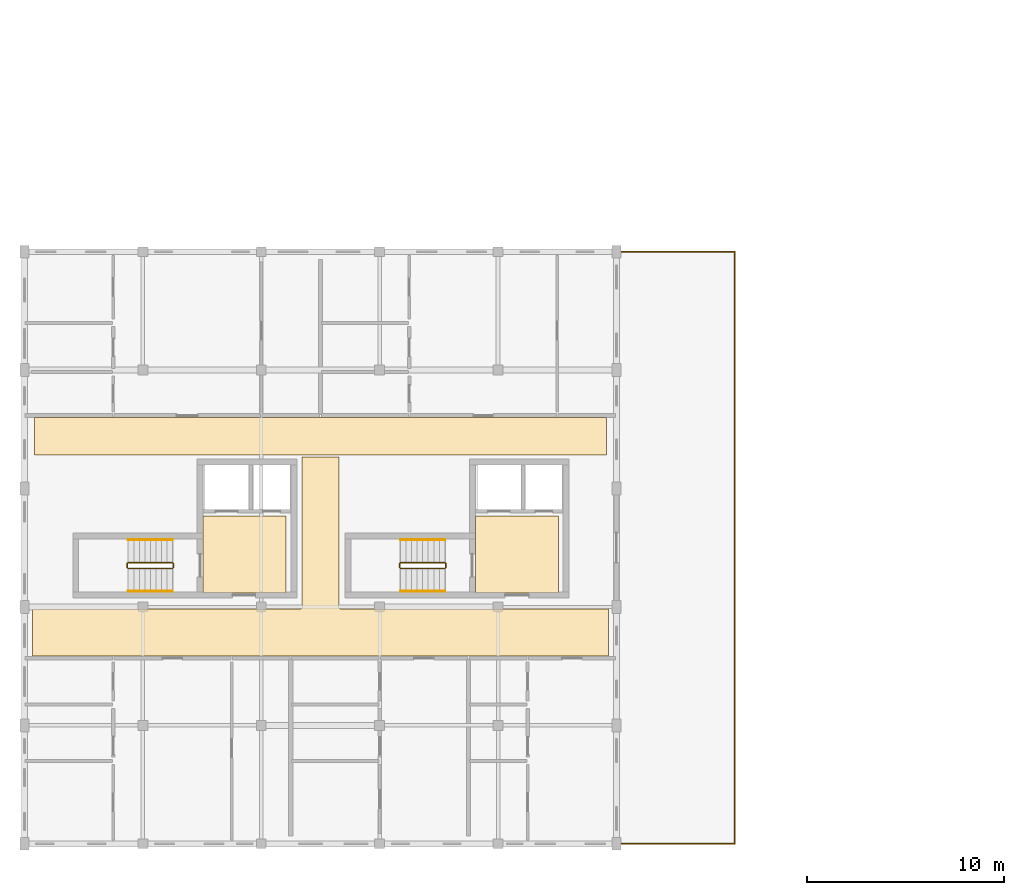
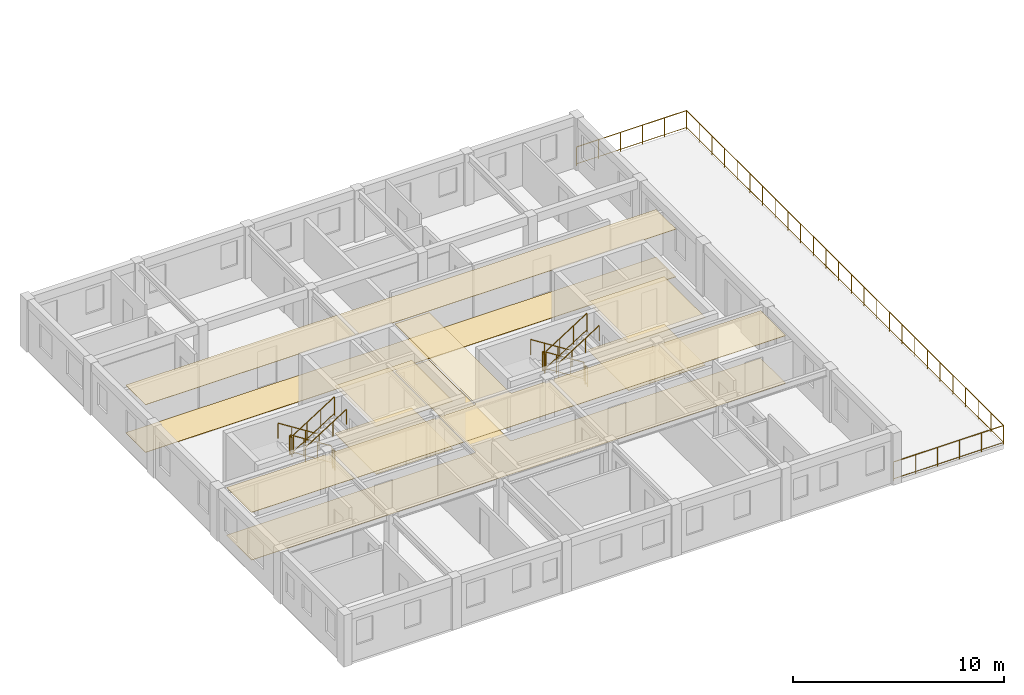
# One storey, part 12 of 13: 15 railings, 8 coverings.
"""IFC4 building model written with IfcOpenShell, lengths in metres."""

import ifcopenshell
import ifcopenshell.guid

model = None  # the IFC model being written
_history = None  # IfcOwnerHistory: only IFC2X3 demands one
_inside = {}  # id of a spatial element -> (the spatial element, [elements in it])
_under = {}  # id of a project, library or spatial element -> (it, [spatial elements below it])
_declared = {}  # id of a project -> (the project, [libraries it declares])
_typed = {}  # id of a type object -> (the type object, [elements of that type])
_made_of = {}  # id of a material, layer set ... -> (it, [elements and type objects made of it])


def new_model(schema):
    """Start an empty IFC model of exactly this schema.

    Asked for "IFC4X3", IfcOpenShell would pick the latest addendum, in which some entities
    have other attributes; the version numbers below select the first issue.
    IFC2X3 requires an IfcOwnerHistory on every rooted entity: one is made here for all.
    """
    global model, _history
    if schema == "IFC4X3":
        model = ifcopenshell.file(schema_version=(4, 3, 0, 0))
    else:
        model = ifcopenshell.file(schema=schema)
    _inside.clear()
    _under.clear()
    _declared.clear()
    _typed.clear()
    _made_of.clear()
    _history = None
    if model.schema == "IFC2X3":
        org = make("IfcOrganization", Name="unknown")
        user = make(
            "IfcPersonAndOrganization",
            ThePerson=make("IfcPerson", FamilyName="unknown"),
            TheOrganization=org,
        )
        app = make(
            "IfcApplication",
            ApplicationDeveloper=org,
            Version="unknown",
            ApplicationFullName="unknown",
            ApplicationIdentifier="unknown",
        )
        _history = make(
            "IfcOwnerHistory",
            OwningUser=user,
            OwningApplication=app,
            ChangeAction="ADDED",
            CreationDate=0,
        )
    return model


def make(cls, **values):
    """One entity of the class cls with the attributes given. An attribute that is None is left unset."""
    return model.create_entity(
        cls, **{name: value for name, value in values.items() if value is not None}
    )


def rooted(cls, **values):
    """An entity with a GlobalId (a new one), such as an element, a storey or a relation."""
    return make(cls, GlobalId=ifcopenshell.guid.new(), OwnerHistory=_history, **values)


def si_unit(unit_type, name, prefix=None):
    """IfcSIUnit, for example si_unit("LENGTHUNIT", "METRE", prefix="MILLI")."""
    return make("IfcSIUnit", UnitType=unit_type, Prefix=prefix, Name=name)


def assignment(units):
    """IfcUnitAssignment: the units of a project."""
    return None if units is None else make("IfcUnitAssignment", Units=units)


def point(xyz):
    """IfcCartesianPoint."""
    return None if xyz is None else make("IfcCartesianPoint", Coordinates=xyz)


def direction(xyz):
    """IfcDirection."""
    return None if xyz is None else make("IfcDirection", DirectionRatios=xyz)


def frame(location, z_axis=None, x_axis=None):
    """IfcAxis2Placement3D, a coordinate frame: its origin and axes. An axis left out is left unset."""
    return make(
        "IfcAxis2Placement3D",
        Location=point(location),
        Axis=direction(z_axis),
        RefDirection=direction(x_axis),
    )


def frame_2d(location, x_axis=None):
    """IfcAxis2Placement2D, a coordinate frame in the plane: its origin and x axis."""
    return make(
        "IfcAxis2Placement2D", Location=point(location), RefDirection=direction(x_axis)
    )


def origin():
    """The frame at (0, 0, 0) with its axes left unset."""
    return frame((0.0, 0.0, 0.0))


def origin_2d():
    """The frame at (0, 0) in the plane with its x axis left unset."""
    return frame_2d((0.0, 0.0))


def place(relative_to, where):
    """IfcLocalPlacement: puts the frame where relative to a parent placement (None: the world)."""
    return make(
        "IfcLocalPlacement", PlacementRelTo=relative_to, RelativePlacement=where
    )


def context(
    kind, dimensions, precision=None, world=None, true_north=None, identifier=None
):
    """IfcGeometricRepresentationContext, for example the 3D "Model" context."""
    return make(
        "IfcGeometricRepresentationContext",
        ContextIdentifier=identifier,
        ContextType=kind,
        CoordinateSpaceDimension=dimensions,
        Precision=precision,
        WorldCoordinateSystem=world,
        TrueNorth=true_north,
    )


def subcontext(parent, identifier, kind, view, scale=None):
    """IfcGeometricRepresentationSubContext, for example "Body" below "Model"."""
    return make(
        "IfcGeometricRepresentationSubContext",
        ContextIdentifier=identifier,
        ContextType=kind,
        ParentContext=parent,
        TargetScale=scale,
        TargetView=view,
    )


def project(units=None, contexts=None):
    """IfcProject with its units and contexts."""
    return rooted(
        "IfcProject",
        Name="project",
        RepresentationContexts=contexts,
        UnitsInContext=assignment(units),
    )


def spatial(cls, under=None, at=None, **own):
    """A site, building, storey or space (cls), placed at a placement, below another one or the project."""
    s = rooted(cls, ObjectPlacement=at, **own)
    if under is not None:
        _under.setdefault(under.id(), (under, []))[1].append(s)
    return s


def polyline(points):
    """IfcPolyline through the points."""
    return make("IfcPolyline", Points=[point(p) for p in points])


def profile(cls, at=None, kind="AREA", **sizes):
    """A parametric profile (cls). Its sizes go by their IFC names, for example OverallWidth=200.0."""
    return make(cls, ProfileType=kind, Position=at, **sizes)


def circle(**sizes):
    """IfcCircleProfileDef."""
    return profile("IfcCircleProfileDef", **sizes)


def outline(outer, holes=None, kind="AREA"):
    """IfcArbitraryClosedProfileDef: a profile drawn as a closed curve; with holes, ...WithVoids."""
    if holes is None:
        return make("IfcArbitraryClosedProfileDef", ProfileType=kind, OuterCurve=outer)
    return make(
        "IfcArbitraryProfileDefWithVoids",
        ProfileType=kind,
        OuterCurve=outer,
        InnerCurves=holes,
    )


def extrude(swept, where, along, depth):
    """IfcExtrudedAreaSolid: the profile swept, set in the frame where, extruded along a direction by depth."""
    return make(
        "IfcExtrudedAreaSolid",
        SweptArea=swept,
        Position=where,
        ExtrudedDirection=direction(along),
        Depth=depth,
    )


def shape(context_of_items, identifier, shape_type, items):
    """IfcShapeRepresentation: the items that make up one representation, for example the "Body"."""
    return make(
        "IfcShapeRepresentation",
        ContextOfItems=context_of_items,
        RepresentationIdentifier=identifier,
        RepresentationType=shape_type,
        Items=items,
    )


def material(Name=None, Category=None):
    """IfcMaterial."""
    return make("IfcMaterial", Name=Name, Category=Category)


def layer(
    of_material, thickness, ventilated=None, Name=None, Category=None, Priority=None
):
    """IfcMaterialLayer: one layer of a wall or slab, of a material (None: an air gap)."""
    return make(
        "IfcMaterialLayer",
        Material=of_material,
        LayerThickness=thickness,
        IsVentilated=ventilated,
        Name=Name,
        Category=Category,
        Priority=Priority,
    )


def layer_set(layers, Name=None):
    """IfcMaterialLayerSet."""
    return make("IfcMaterialLayerSet", MaterialLayers=layers, LayerSetName=Name)


def made_of(thing, what):
    """Note that an element or type object is made of a material, layer set ...; save() writes the relation."""
    if what is not None:
        _made_of.setdefault(what.id(), (what, []))[1].append(thing)
    return thing


def type_object(cls, material=None, **own):
    """A type object (cls), such as IfcWallType, which elements share."""
    return made_of(rooted(cls, **own), material)


def element(
    cls,
    number,
    at=None,
    inside=None,
    cuts=None,
    type_object=None,
    material=None,
    context=None,
    identifier="Body",
    shape_type=None,
    held_by="IfcProductDefinitionShape",
    body=None,
    shapes=None,
    **own,
):
    """One element of the class cls, such as IfcWall. Its Tag is "e" and its number.

    at: its placement. inside: the storey or other place that contains it. cuts: it is an
    opening in that element (IfcRelVoidsElement). A single representation is given by context,
    identifier, shape_type and body (its items); several are given by shapes. held_by: the class
    of the entity that holds the representations. save() writes the other relations.
    """
    e = rooted(cls, Tag="e%d" % number, ObjectPlacement=at, **own)
    if body is not None:
        shapes = [shape(context, identifier, shape_type, body)]
    if shapes is not None:
        e.Representation = make(held_by, Representations=shapes)
    if inside is not None:
        _inside.setdefault(inside.id(), (inside, []))[1].append(e)
    if cuts is not None:
        rooted(
            "IfcRelVoidsElement", RelatingBuildingElement=cuts, RelatedOpeningElement=e
        )
    if type_object is not None:
        _typed.setdefault(type_object.id(), (type_object, []))[1].append(e)
    return made_of(e, material)


def aggregate(whole, parts):
    """IfcRelAggregates: a whole, such as a stair, and the parts it consists of."""
    return rooted("IfcRelAggregates", RelatingObject=whole, RelatedObjects=parts)


def save(model, path):
    """Write the relations noted so far, then the file.

    IfcRelAggregates (storeys below a building ...), IfcRelContainedInSpatialStructure (elements
    in a storey), IfcRelDefinesByType, IfcRelAssociatesMaterial and IfcRelDeclares: one each for
    every whole, place, type object, material and project.
    """
    for whole, parts in _under.values():
        aggregate(whole, parts)
    for where, things in _inside.values():
        rooted(
            "IfcRelContainedInSpatialStructure",
            RelatedElements=things,
            RelatingStructure=where,
        )
    for kind, things in _typed.values():
        rooted("IfcRelDefinesByType", RelatedObjects=things, RelatingType=kind)
    for what, things in _made_of.values():
        rooted("IfcRelAssociatesMaterial", RelatedObjects=things, RelatingMaterial=what)
    for by, libraries in _declared.values():
        rooted("IfcRelDeclares", RelatingContext=by, RelatedDefinitions=libraries)
    model.write(path)


model = new_model("IFC4")

# Units and contexts
model_context = context("Model", 3, precision=1e-05, world=origin(), true_north=direction((0.0, 1.0)))
body_context = subcontext(model_context, "Body", "Model", "MODEL_VIEW")
ifc_project = project(units=[si_unit("LENGTHUNIT", "METRE"), si_unit("AREAUNIT", "SQUARE_METRE"), si_unit("VOLUMEUNIT", "CUBIC_METRE"), si_unit("PLANEANGLEUNIT", "RADIAN"), si_unit("MASSUNIT", "GRAM", prefix="KILO"), si_unit("POWERUNIT", "WATT"), si_unit("THERMODYNAMICTEMPERATUREUNIT", "KELVIN")], contexts=[model_context])

# Site, building, storey
site_placement = place(None, origin())
site = spatial("IfcSite", under=ifc_project, at=site_placement, CompositionType="ELEMENT")
building_placement = place(site_placement, origin())
building = spatial("IfcBuilding", under=site, at=building_placement, Name="Ruvembo Vaulted Housing Court", CompositionType="ELEMENT")
storey_placement = place(building_placement, frame((0.0, 0.0, 33.300048828125)))
storey = spatial("IfcBuildingStorey", under=building, at=storey_placement, Name="L10", CompositionType="ELEMENT", Elevation=33.300048828125)

# Coverings
ifc_material_1 = material(Name="Perforated Mineral-Fibre Acoustic Tile", Category="gypsum")
ifc_layer_1 = layer(ifc_material_1, 0.02001953125, Name="Perforated Mineral-Fibre Acoustic Tile")
ifc_layer_set_1 = layer_set([ifc_layer_1], Name="Perforated Mineral-Fibre Acoustic Tile")
covering_type_1 = type_object("IfcCoveringType", Name="COV-CEIL-ACOUST", PredefinedType="CEILING", material=ifc_layer_set_1)
covering_1_placement = place(storey_placement, frame((0.0, 0.0, 2.75)))
element("IfcCovering", 1, at=covering_1_placement, inside=storey, type_object=covering_type_1, Name="Firefighting Lift Lobby A1 Ceiling", PredefinedType="CEILING", context=body_context, shape_type="SweptSolid", body=[
    extrude(outline(polyline([(13.25, 22.60009765625), (9.050048828125, 22.60009765625), (9.050048828125, 18.699951171875), (13.25, 18.699951171875), (13.25, 22.60009765625)])), origin(), (0.0, 0.0, 1.0), 0.02001953125),
])
covering_2_placement = place(storey_placement, frame((0.0, 0.0, 2.75)))
element("IfcCovering", 2, at=covering_2_placement, inside=storey, type_object=covering_type_1, Name="Firefighting Lift Lobby A2 Ceiling", PredefinedType="CEILING", context=body_context, shape_type="SweptSolid", body=[
    extrude(outline(polyline([(27.050048828125, 22.60009765625), (22.85009765625, 22.60009765625), (22.85009765625, 18.699951171875), (27.050048828125, 18.699951171875), (27.050048828125, 22.60009765625)])), origin(), (0.0, 0.0, 1.0), 0.02001953125),
])
covering_3_placement = place(storey_placement, frame((0.0, 0.0, 2.75)))
element("IfcCovering", 3, at=covering_3_placement, inside=storey, type_object=covering_type_1, Name="Block A L10 Corridor Ceiling", PredefinedType="CEILING", context=body_context, shape_type="SweptSolid", body=[
    extrude(outline(polyline([(29.590087890625, 15.510009765625), (29.590087890625, 17.889892578125), (16.050048828125, 17.889892578125), (16.039306640625, 17.890380859375), (16.028564453125, 17.89208984375), (16.01806640625, 17.894775390625), (16.0078125, 17.8984375), (15.998046875, 17.903076171875), (15.989013671875, 17.908447265625), (15.980224609375, 17.9150390625), (15.97216796875, 17.922119140625), (15.965087890625, 17.93017578125), (15.95849609375, 17.93896484375), (15.952880859375, 17.947998046875), (15.948486328125, 17.9580078125), (15.944580078125, 17.968017578125), (15.942138671875, 17.978515625), (15.9404296875, 17.9892578125), (15.93994140625, 18.0), (15.93994140625, 25.590087890625), (14.06005859375, 25.590087890625), (14.06005859375, 18.0), (14.0595703125, 17.9892578125), (14.057861328125, 17.978515625), (14.055419921875, 17.968017578125), (14.051513671875, 17.9580078125), (14.047119140625, 17.947998046875), (14.04150390625, 17.93896484375), (14.034912109375, 17.93017578125), (14.02783203125, 17.922119140625), (14.019775390625, 17.9150390625), (14.010986328125, 17.908447265625), (14.001953125, 17.903076171875), (13.9921875, 17.8984375), (13.98193359375, 17.894775390625), (13.971435546875, 17.89208984375), (13.960693359375, 17.890380859375), (13.949951171875, 17.889892578125), (0.409912109375, 17.889892578125), (0.409912109375, 15.510009765625), (29.590087890625, 15.510009765625)])), origin(), (0.0, 0.0, 1.0), 0.02001953125),
])
covering_4_placement = place(storey_placement, frame((0.0, 0.0, 2.75)))
element("IfcCovering", 4, at=covering_4_placement, inside=storey, type_object=covering_type_1, Name="Block A L10 North Sub-Corridor Ceiling", PredefinedType="CEILING", context=body_context, shape_type="SweptSolid", body=[
    extrude(outline(polyline([(0.510009765625, 25.7099609375), (29.489990234375, 25.7099609375), (29.489990234375, 27.590087890625), (0.510009765625, 27.590087890625), (0.510009765625, 25.7099609375)])), origin(), (0.0, 0.0, 1.0), 0.02001953125),
])
ifc_material_2 = material(Name="Polished Cement-Aggregate Terrazzo", Category="stone")
ifc_layer_2 = layer(ifc_material_2, 0.02197265625, Name="Polished Cement-Aggregate Terrazzo")
ifc_layer_set_2 = layer_set([ifc_layer_2], Name="Polished Cement-Aggregate Terrazzo")
covering_type_2 = type_object("IfcCoveringType", Name="COV-FLR-CERAMIC", PredefinedType="FLOORING", material=ifc_layer_set_2)
covering_5_placement = place(storey_placement, origin())
element("IfcCovering", 5, at=covering_5_placement, inside=storey, type_object=covering_type_2, Name="Firefighting Lift Lobby A1 Flooring", PredefinedType="FLOORING", context=body_context, shape_type="SweptSolid", body=[
    extrude(outline(polyline([(13.25, 22.60009765625), (9.050048828125, 22.60009765625), (9.050048828125, 18.699951171875), (13.25, 18.699951171875), (13.25, 22.60009765625)])), origin(), (0.0, 0.0, 1.0), 0.02197265625),
])
covering_6_placement = place(storey_placement, origin())
element("IfcCovering", 6, at=covering_6_placement, inside=storey, type_object=covering_type_2, Name="Firefighting Lift Lobby A2 Flooring", PredefinedType="FLOORING", context=body_context, shape_type="SweptSolid", body=[
    extrude(outline(polyline([(27.050048828125, 22.60009765625), (22.85009765625, 22.60009765625), (22.85009765625, 18.699951171875), (27.050048828125, 18.699951171875), (27.050048828125, 22.60009765625)])), origin(), (0.0, 0.0, 1.0), 0.02197265625),
])
covering_7_placement = place(storey_placement, origin())
element("IfcCovering", 7, at=covering_7_placement, inside=storey, type_object=covering_type_2, Name="Block A L10 Corridor Flooring", PredefinedType="FLOORING", context=body_context, shape_type="SweptSolid", body=[
    extrude(outline(polyline([(29.590087890625, 15.510009765625), (29.590087890625, 17.889892578125), (16.050048828125, 17.889892578125), (16.039306640625, 17.890380859375), (16.028564453125, 17.89208984375), (16.01806640625, 17.894775390625), (16.0078125, 17.8984375), (15.998046875, 17.903076171875), (15.989013671875, 17.908447265625), (15.980224609375, 17.9150390625), (15.97216796875, 17.922119140625), (15.965087890625, 17.93017578125), (15.95849609375, 17.93896484375), (15.952880859375, 17.947998046875), (15.948486328125, 17.9580078125), (15.944580078125, 17.968017578125), (15.942138671875, 17.978515625), (15.9404296875, 17.9892578125), (15.93994140625, 18.0), (15.93994140625, 25.590087890625), (14.06005859375, 25.590087890625), (14.06005859375, 18.0), (14.0595703125, 17.9892578125), (14.057861328125, 17.978515625), (14.055419921875, 17.968017578125), (14.051513671875, 17.9580078125), (14.047119140625, 17.947998046875), (14.04150390625, 17.93896484375), (14.034912109375, 17.93017578125), (14.02783203125, 17.922119140625), (14.019775390625, 17.9150390625), (14.010986328125, 17.908447265625), (14.001953125, 17.903076171875), (13.9921875, 17.8984375), (13.98193359375, 17.894775390625), (13.971435546875, 17.89208984375), (13.960693359375, 17.890380859375), (13.949951171875, 17.889892578125), (0.409912109375, 17.889892578125), (0.409912109375, 15.510009765625), (29.590087890625, 15.510009765625)])), origin(), (0.0, 0.0, 1.0), 0.02197265625),
])
covering_8_placement = place(storey_placement, origin())
element("IfcCovering", 8, at=covering_8_placement, inside=storey, type_object=covering_type_2, Name="Block A L10 North Sub-Corridor Flooring", PredefinedType="FLOORING", context=body_context, shape_type="SweptSolid", body=[
    extrude(outline(polyline([(0.510009765625, 25.7099609375), (29.489990234375, 25.7099609375), (29.489990234375, 27.590087890625), (0.510009765625, 27.590087890625), (0.510009765625, 25.7099609375)])), origin(), (0.0, 0.0, 1.0), 0.02197265625),
])

# Railings
ifc_material_3 = material(Name="Galvanised Painted Steel and Laminated Glass", Category="steel")
ifc_layer_3 = layer(ifc_material_3, 0.070068359375, Name="Galvanised Painted Steel and Laminated Glass")
ifc_layer_set_3 = layer_set([ifc_layer_3], Name="Galvanised Painted Steel and Laminated Glass")
railing_type_1 = type_object("IfcRailingType", Name="RL-BALUST-1120", PredefinedType="BALUSTRADE", material=ifc_layer_set_3)
railing_1_placement = place(storey_placement, frame((30.0, 6.0, 0.0)))
element("IfcRailing", 9, at=railing_1_placement, inside=storey, type_object=railing_type_1, Name="L10 Perimeter Guard RL-EXT-L10-0004", PredefinedType="BALUSTRADE", context=body_context, shape_type="SweptSolid", body=[
    extrude(circle(Radius=0.02392578125, at=origin_2d()), frame((0.0, 0.0, 1.09619140625), z_axis=(1.0, 0.0, 0.0), x_axis=(0.0, 1.0, 0.0)), (0.0, 0.0, 1.0), 6.0),
    extrude(circle(Radius=0.01806640625, at=origin_2d()), frame((0.0, 0.0, 0.1201171875), z_axis=(1.0, 0.0, 0.0), x_axis=(0.0, 1.0, 0.0)), (0.0, 0.0, 1.0), 6.0),
    extrude(circle(Radius=0.02099609375, at=origin_2d()), origin(), (0.0, 0.0, 1.0), 1.072021484375),
    extrude(circle(Radius=0.02099609375, at=origin_2d()), frame((1.199951171875, 0.0, 0.0)), (0.0, 0.0, 1.0), 1.072021484375),
    extrude(circle(Radius=0.02099609375, at=origin_2d()), frame((2.39990234375, 0.0, 0.0)), (0.0, 0.0, 1.0), 1.072021484375),
    extrude(circle(Radius=0.02099609375, at=origin_2d()), frame((3.60009765625, 0.0, 0.0)), (0.0, 0.0, 1.0), 1.072021484375),
    extrude(circle(Radius=0.02099609375, at=origin_2d()), frame((4.800048828125, 0.0, 0.0)), (0.0, 0.0, 1.0), 1.072021484375),
    extrude(circle(Radius=0.02099609375, at=origin_2d()), frame((6.0, 0.0, 0.0)), (0.0, 0.0, 1.0), 1.072021484375),
])
railing_2_placement = place(storey_placement, frame((36.0, 6.0, 0.0)))
element("IfcRailing", 10, at=railing_2_placement, inside=storey, type_object=railing_type_1, Name="L10 Perimeter Guard RL-EXT-L10-0005", PredefinedType="BALUSTRADE", context=body_context, shape_type="SweptSolid", body=[
    extrude(circle(Radius=0.02392578125, at=origin_2d()), frame((0.0, 0.0, 1.09619140625), z_axis=(0.0, 1.0, 0.0), x_axis=(-1.0, 0.0, 0.0)), (0.0, 0.0, 1.0), 30.0),
    extrude(circle(Radius=0.01806640625, at=origin_2d()), frame((0.0, 0.0, 0.1201171875), z_axis=(0.0, 1.0, 0.0), x_axis=(-1.0, 0.0, 0.0)), (0.0, 0.0, 1.0), 30.0),
    extrude(circle(Radius=0.02099609375, at=origin_2d()), origin(), (0.0, 0.0, 1.0), 1.072021484375),
    extrude(circle(Radius=0.02099609375, at=origin_2d()), frame((0.0, 1.199951171875, 0.0)), (0.0, 0.0, 1.0), 1.072021484375),
    extrude(circle(Radius=0.02099609375, at=origin_2d()), frame((0.0, 2.39990234375, 0.0)), (0.0, 0.0, 1.0), 1.072021484375),
    extrude(circle(Radius=0.02099609375, at=origin_2d()), frame((0.0, 3.60009765625, 0.0)), (0.0, 0.0, 1.0), 1.072021484375),
    extrude(circle(Radius=0.02099609375, at=origin_2d()), frame((0.0, 4.800048828125, 0.0)), (0.0, 0.0, 1.0), 1.072021484375),
    extrude(circle(Radius=0.02099609375, at=origin_2d()), frame((0.0, 6.0, 0.0)), (0.0, 0.0, 1.0), 1.072021484375),
    extrude(circle(Radius=0.02099609375, at=origin_2d()), frame((0.0, 7.199951171875, 0.0)), (0.0, 0.0, 1.0), 1.072021484375),
    extrude(circle(Radius=0.02099609375, at=origin_2d()), frame((0.0, 8.39990234375, 0.0)), (0.0, 0.0, 1.0), 1.072021484375),
    extrude(circle(Radius=0.02099609375, at=origin_2d()), frame((0.0, 9.60009765625, 0.0)), (0.0, 0.0, 1.0), 1.072021484375),
    extrude(circle(Radius=0.02099609375, at=origin_2d()), frame((0.0, 10.800048828125, 0.0)), (0.0, 0.0, 1.0), 1.072021484375),
    extrude(circle(Radius=0.02099609375, at=origin_2d()), frame((0.0, 12.0, 0.0)), (0.0, 0.0, 1.0), 1.072021484375),
    extrude(circle(Radius=0.02099609375, at=origin_2d()), frame((0.0, 13.199951171875, 0.0)), (0.0, 0.0, 1.0), 1.072021484375),
    extrude(circle(Radius=0.02099609375, at=origin_2d()), frame((0.0, 14.39990234375, 0.0)), (0.0, 0.0, 1.0), 1.072021484375),
    extrude(circle(Radius=0.02099609375, at=origin_2d()), frame((0.0, 15.60009765625, 0.0)), (0.0, 0.0, 1.0), 1.072021484375),
    extrude(circle(Radius=0.02099609375, at=origin_2d()), frame((0.0, 16.800048828125, 0.0)), (0.0, 0.0, 1.0), 1.072021484375),
    extrude(circle(Radius=0.02099609375, at=origin_2d()), frame((0.0, 18.0, 0.0)), (0.0, 0.0, 1.0), 1.072021484375),
    extrude(circle(Radius=0.02099609375, at=origin_2d()), frame((0.0, 19.199951171875, 0.0)), (0.0, 0.0, 1.0), 1.072021484375),
    extrude(circle(Radius=0.02099609375, at=origin_2d()), frame((0.0, 20.39990234375, 0.0)), (0.0, 0.0, 1.0), 1.072021484375),
    extrude(circle(Radius=0.02099609375, at=origin_2d()), frame((0.0, 21.60009765625, 0.0)), (0.0, 0.0, 1.0), 1.072021484375),
    extrude(circle(Radius=0.02099609375, at=origin_2d()), frame((0.0, 22.800048828125, 0.0)), (0.0, 0.0, 1.0), 1.072021484375),
    extrude(circle(Radius=0.02099609375, at=origin_2d()), frame((0.0, 24.0, 0.0)), (0.0, 0.0, 1.0), 1.072021484375),
    extrude(circle(Radius=0.02099609375, at=origin_2d()), frame((0.0, 25.199951171875, 0.0)), (0.0, 0.0, 1.0), 1.072021484375),
    extrude(circle(Radius=0.02099609375, at=origin_2d()), frame((0.0, 26.39990234375, 0.0)), (0.0, 0.0, 1.0), 1.072021484375),
    extrude(circle(Radius=0.02099609375, at=origin_2d()), frame((0.0, 27.60009765625, 0.0)), (0.0, 0.0, 1.0), 1.072021484375),
    extrude(circle(Radius=0.02099609375, at=origin_2d()), frame((0.0, 28.800048828125, 0.0)), (0.0, 0.0, 1.0), 1.072021484375),
    extrude(circle(Radius=0.02099609375, at=origin_2d()), frame((0.0, 30.0, 0.0)), (0.0, 0.0, 1.0), 1.072021484375),
])
railing_3_placement = place(storey_placement, frame((36.0, 36.0, 0.0)))
element("IfcRailing", 11, at=railing_3_placement, inside=storey, type_object=railing_type_1, Name="L10 Perimeter Guard RL-EXT-L10-0006", PredefinedType="BALUSTRADE", context=body_context, shape_type="SweptSolid", body=[
    extrude(circle(Radius=0.02392578125, at=origin_2d()), frame((0.0, 0.0, 1.09619140625), z_axis=(-1.0, 0.0, 0.0), x_axis=(0.0, -1.0, 0.0)), (0.0, 0.0, 1.0), 6.0),
    extrude(circle(Radius=0.01806640625, at=origin_2d()), frame((0.0, 0.0, 0.1201171875), z_axis=(-1.0, 0.0, 0.0), x_axis=(0.0, -1.0, 0.0)), (0.0, 0.0, 1.0), 6.0),
    extrude(circle(Radius=0.02099609375, at=origin_2d()), origin(), (0.0, 0.0, 1.0), 1.072021484375),
    extrude(circle(Radius=0.02099609375, at=origin_2d()), frame((-1.199951171875, 0.0, 0.0)), (0.0, 0.0, 1.0), 1.072021484375),
    extrude(circle(Radius=0.02099609375, at=origin_2d()), frame((-2.39990234375, 0.0, 0.0)), (0.0, 0.0, 1.0), 1.072021484375),
    extrude(circle(Radius=0.02099609375, at=origin_2d()), frame((-3.60009765625, 0.0, 0.0)), (0.0, 0.0, 1.0), 1.072021484375),
    extrude(circle(Radius=0.02099609375, at=origin_2d()), frame((-4.800048828125, 0.0, 0.0)), (0.0, 0.0, 1.0), 1.072021484375),
    extrude(circle(Radius=0.02099609375, at=origin_2d()), frame((-6.0, 0.0, 0.0)), (0.0, 0.0, 1.0), 1.072021484375),
])
ifc_material_4 = material(Name="Painted Galvanised Steel S275", Category="steel")
ifc_layer_4 = layer(ifc_material_4, 0.06005859375, Name="Painted Galvanised Steel S275")
ifc_layer_set_4 = layer_set([ifc_layer_4], Name="Painted Galvanised Steel S275")
railing_type_2 = type_object("IfcRailingType", Name="RL-STAIR-GR1100", PredefinedType="GUARDRAIL", material=ifc_layer_set_4)
railing_4_placement = place(storey_placement, frame((7.5, 20.25, 0.177734375)))
element("IfcRailing", 12, at=railing_4_placement, inside=storey, type_object=railing_type_2, Name="L10 ST-A1 stair guard 1", PredefinedType="GUARDRAIL", context=body_context, shape_type="SweptSolid", body=[
    extrude(circle(Radius=0.02392578125, at=origin_2d()), frame((0.0, 0.0, 1.076171875), z_axis=(-0.8442293374, 0.0, 0.53598211339), x_axis=(0.0, -1.0, 0.0)), (0.0, 0.0, 1.0), 2.6533203125),
    extrude(circle(Radius=0.01806640625, at=origin_2d()), frame((0.0, 0.0, 0.1201171875), z_axis=(-0.8442293374, 0.0, 0.53598211339), x_axis=(0.0, -1.0, 0.0)), (0.0, 0.0, 1.0), 2.6533203125),
    extrude(circle(Radius=0.02099609375, at=origin_2d()), origin(), (0.0, 0.0, 1.0), 1.052001953125),
    extrude(circle(Radius=0.02099609375, at=origin_2d()), frame((-0.74658203125, 0.0, 0.47412109375)), (0.0, 0.0, 1.0), 1.052001953125),
    extrude(circle(Radius=0.02099609375, at=origin_2d()), frame((-1.493408203125, 0.0, 0.947998046875)), (0.0, 0.0, 1.0), 1.052001953125),
    extrude(circle(Radius=0.02099609375, at=origin_2d()), frame((-2.239990234375, 0.0, 1.422119140625)), (0.0, 0.0, 1.0), 1.052001953125),
])
railing_5_placement = place(storey_placement, frame((5.2099609375, 20.199951171875, 1.599853515625)))
element("IfcRailing", 13, at=railing_5_placement, inside=storey, type_object=railing_type_2, Name="L10 ST-A1 stair guard 2", PredefinedType="GUARDRAIL", context=body_context, shape_type="SweptSolid", body=[
    extrude(circle(Radius=0.02392578125, at=origin_2d()), frame((0.0, 0.0, 1.076171875), z_axis=(0.0, -1.0, 0.0), x_axis=(1.0, 0.0, 0.0)), (0.0, 0.0, 1.0), 0.199951171875),
    extrude(circle(Radius=0.01806640625, at=origin_2d()), frame((0.0, 0.0, 0.1201171875), z_axis=(0.0, -1.0, 0.0), x_axis=(1.0, 0.0, 0.0)), (0.0, 0.0, 1.0), 0.199951171875),
    extrude(circle(Radius=0.02099609375, at=origin_2d()), origin(), (0.0, 0.0, 1.0), 1.052001953125),
    extrude(circle(Radius=0.02099609375, at=origin_2d()), frame((0.0, -0.199951171875, 0.0)), (0.0, 0.0, 1.0), 1.052001953125),
])
railing_6_placement = place(storey_placement, frame((5.260009765625, 19.949951171875, 1.77783203125)))
element("IfcRailing", 14, at=railing_6_placement, inside=storey, type_object=railing_type_2, Name="L10 ST-A1 stair guard 3", PredefinedType="GUARDRAIL", context=body_context, shape_type="SweptSolid", body=[
    extrude(circle(Radius=0.02392578125, at=origin_2d()), frame((0.0, 0.0, 1.076171875), z_axis=(0.8442293374, 0.0, 0.53598211339), x_axis=(0.0, 1.0, 0.0)), (0.0, 0.0, 1.0), 2.6533203125),
    extrude(circle(Radius=0.01806640625, at=origin_2d()), frame((0.0, 0.0, 0.1201171875), z_axis=(0.8442293374, 0.0, 0.53598211339), x_axis=(0.0, 1.0, 0.0)), (0.0, 0.0, 1.0), 2.6533203125),
    extrude(circle(Radius=0.02099609375, at=origin_2d()), origin(), (0.0, 0.0, 1.0), 1.052001953125),
    extrude(circle(Radius=0.02099609375, at=origin_2d()), frame((0.74658203125, 0.0, 0.47412109375)), (0.0, 0.0, 1.0), 1.052001953125),
    extrude(circle(Radius=0.02099609375, at=origin_2d()), frame((1.493408203125, 0.0, 0.947998046875)), (0.0, 0.0, 1.0), 1.052001953125),
    extrude(circle(Radius=0.02099609375, at=origin_2d()), frame((2.239990234375, 0.0, 1.422119140625)), (0.0, 0.0, 1.0), 1.052001953125),
])
railing_7_placement = place(storey_placement, frame((7.550048828125, 20.199951171875, 0.0)))
element("IfcRailing", 15, at=railing_7_placement, inside=storey, type_object=railing_type_2, Name="L10 ST-A1 stair guard 4", PredefinedType="GUARDRAIL", context=body_context, shape_type="SweptSolid", body=[
    extrude(circle(Radius=0.02392578125, at=origin_2d()), frame((0.0, 0.0, 1.076171875), z_axis=(0.0, -1.0, 0.0), x_axis=(1.0, 0.0, 0.0)), (0.0, 0.0, 1.0), 0.199951171875),
    extrude(circle(Radius=0.01806640625, at=origin_2d()), frame((0.0, 0.0, 0.1201171875), z_axis=(0.0, -1.0, 0.0), x_axis=(1.0, 0.0, 0.0)), (0.0, 0.0, 1.0), 0.199951171875),
    extrude(circle(Radius=0.02099609375, at=origin_2d()), origin(), (0.0, 0.0, 1.0), 1.052001953125),
    extrude(circle(Radius=0.02099609375, at=origin_2d()), frame((0.0, -0.199951171875, 0.0)), (0.0, 0.0, 1.0), 1.052001953125),
])
railing_8_placement = place(storey_placement, frame((21.300048828125, 20.25, 0.177734375)))
element("IfcRailing", 16, at=railing_8_placement, inside=storey, type_object=railing_type_2, Name="L10 ST-A2 stair guard 1", PredefinedType="GUARDRAIL", context=body_context, shape_type="SweptSolid", body=[
    extrude(circle(Radius=0.02392578125, at=origin_2d()), frame((0.0, 0.0, 1.076171875), z_axis=(-0.8442293374, 0.0, 0.53598211339), x_axis=(0.0, -1.0, 0.0)), (0.0, 0.0, 1.0), 2.6533203125),
    extrude(circle(Radius=0.01806640625, at=origin_2d()), frame((0.0, 0.0, 0.1201171875), z_axis=(-0.8442293374, 0.0, 0.53598211339), x_axis=(0.0, -1.0, 0.0)), (0.0, 0.0, 1.0), 2.6533203125),
    extrude(circle(Radius=0.02099609375, at=origin_2d()), origin(), (0.0, 0.0, 1.0), 1.052001953125),
    extrude(circle(Radius=0.02099609375, at=origin_2d()), frame((-0.74658203125, 0.0, 0.47412109375)), (0.0, 0.0, 1.0), 1.052001953125),
    extrude(circle(Radius=0.02099609375, at=origin_2d()), frame((-1.493408203125, 0.0, 0.947998046875)), (0.0, 0.0, 1.0), 1.052001953125),
    extrude(circle(Radius=0.02099609375, at=origin_2d()), frame((-2.239990234375, 0.0, 1.422119140625)), (0.0, 0.0, 1.0), 1.052001953125),
])
railing_9_placement = place(storey_placement, frame((19.010009765625, 20.199951171875, 1.599853515625)))
element("IfcRailing", 17, at=railing_9_placement, inside=storey, type_object=railing_type_2, Name="L10 ST-A2 stair guard 2", PredefinedType="GUARDRAIL", context=body_context, shape_type="SweptSolid", body=[
    extrude(circle(Radius=0.02392578125, at=origin_2d()), frame((0.0, 0.0, 1.076171875), z_axis=(0.0, -1.0, 0.0), x_axis=(1.0, 0.0, 0.0)), (0.0, 0.0, 1.0), 0.199951171875),
    extrude(circle(Radius=0.01806640625, at=origin_2d()), frame((0.0, 0.0, 0.1201171875), z_axis=(0.0, -1.0, 0.0), x_axis=(1.0, 0.0, 0.0)), (0.0, 0.0, 1.0), 0.199951171875),
    extrude(circle(Radius=0.02099609375, at=origin_2d()), origin(), (0.0, 0.0, 1.0), 1.052001953125),
    extrude(circle(Radius=0.02099609375, at=origin_2d()), frame((0.0, -0.199951171875, 0.0)), (0.0, 0.0, 1.0), 1.052001953125),
])
railing_10_placement = place(storey_placement, frame((19.06005859375, 19.949951171875, 1.77783203125)))
element("IfcRailing", 18, at=railing_10_placement, inside=storey, type_object=railing_type_2, Name="L10 ST-A2 stair guard 3", PredefinedType="GUARDRAIL", context=body_context, shape_type="SweptSolid", body=[
    extrude(circle(Radius=0.02392578125, at=origin_2d()), frame((0.0, 0.0, 1.076171875), z_axis=(0.8442293374, 0.0, 0.53598211339), x_axis=(0.0, 1.0, 0.0)), (0.0, 0.0, 1.0), 2.6533203125),
    extrude(circle(Radius=0.01806640625, at=origin_2d()), frame((0.0, 0.0, 0.1201171875), z_axis=(0.8442293374, 0.0, 0.53598211339), x_axis=(0.0, 1.0, 0.0)), (0.0, 0.0, 1.0), 2.6533203125),
    extrude(circle(Radius=0.02099609375, at=origin_2d()), origin(), (0.0, 0.0, 1.0), 1.052001953125),
    extrude(circle(Radius=0.02099609375, at=origin_2d()), frame((0.74658203125, 0.0, 0.47412109375)), (0.0, 0.0, 1.0), 1.052001953125),
    extrude(circle(Radius=0.02099609375, at=origin_2d()), frame((1.493408203125, 0.0, 0.947998046875)), (0.0, 0.0, 1.0), 1.052001953125),
    extrude(circle(Radius=0.02099609375, at=origin_2d()), frame((2.239990234375, 0.0, 1.422119140625)), (0.0, 0.0, 1.0), 1.052001953125),
])
railing_11_placement = place(storey_placement, frame((21.35009765625, 20.199951171875, 0.0)))
element("IfcRailing", 19, at=railing_11_placement, inside=storey, type_object=railing_type_2, Name="L10 ST-A2 stair guard 4", PredefinedType="GUARDRAIL", context=body_context, shape_type="SweptSolid", body=[
    extrude(circle(Radius=0.02392578125, at=origin_2d()), frame((0.0, 0.0, 1.076171875), z_axis=(0.0, -1.0, 0.0), x_axis=(1.0, 0.0, 0.0)), (0.0, 0.0, 1.0), 0.199951171875),
    extrude(circle(Radius=0.01806640625, at=origin_2d()), frame((0.0, 0.0, 0.1201171875), z_axis=(0.0, -1.0, 0.0), x_axis=(1.0, 0.0, 0.0)), (0.0, 0.0, 1.0), 0.199951171875),
    extrude(circle(Radius=0.02099609375, at=origin_2d()), origin(), (0.0, 0.0, 1.0), 1.052001953125),
    extrude(circle(Radius=0.02099609375, at=origin_2d()), frame((0.0, -0.199951171875, 0.0)), (0.0, 0.0, 1.0), 1.052001953125),
])
ifc_material_5 = material(Name="Brushed Stainless Steel 304", Category="steel")
ifc_layer_5 = layer(ifc_material_5, 0.050048828125, Name="Brushed Stainless Steel 304")
ifc_layer_set_5 = layer_set([ifc_layer_5], Name="Brushed Stainless Steel 304")
railing_type_3 = type_object("IfcRailingType", Name="RL-STAIR-HR920", PredefinedType="HANDRAIL", material=ifc_layer_set_5)
railing_12_placement = place(storey_placement, frame((7.5, 21.39990234375, 0.359130859375)))
element("IfcRailing", 20, at=railing_12_placement, inside=storey, type_object=railing_type_3, Name="L10 ST-A1 stair handrail 1", PredefinedType="HANDRAIL", context=body_context, shape_type="SweptSolid", body=[
    extrude(circle(Radius=0.02392578125, at=origin_2d()), frame((0.0, 0.0, 0.8759765625), z_axis=(-0.84418770128, 0.0, 0.536047689118), x_axis=(0.0, -1.0, 0.0)), (0.0, 0.0, 1.0), 2.6533203125),
    extrude(circle(Radius=0.02099609375, at=origin_2d()), origin(), (0.0, 0.0, 1.0), 0.851806640625),
    extrude(circle(Radius=0.02099609375, at=origin_2d()), frame((-0.74658203125, 0.0, 0.47412109375)), (0.0, 0.0, 1.0), 0.851806640625),
    extrude(circle(Radius=0.02099609375, at=origin_2d()), frame((-1.493408203125, 0.0, 0.9482421875)), (0.0, 0.0, 1.0), 0.851806640625),
    extrude(circle(Radius=0.02099609375, at=origin_2d()), frame((-2.239990234375, 0.0, 1.42236328125)), (0.0, 0.0, 1.0), 0.851806640625),
])
railing_13_placement = place(storey_placement, frame((5.260009765625, 18.800048828125, 1.959228515625)))
element("IfcRailing", 21, at=railing_13_placement, inside=storey, type_object=railing_type_3, Name="L10 ST-A1 stair handrail 2", PredefinedType="HANDRAIL", context=body_context, shape_type="SweptSolid", body=[
    extrude(circle(Radius=0.02392578125, at=origin_2d()), frame((0.0, 0.0, 0.8759765625), z_axis=(0.8442293374, 0.0, 0.53598211339), x_axis=(0.0, 1.0, 0.0)), (0.0, 0.0, 1.0), 2.6533203125),
    extrude(circle(Radius=0.02099609375, at=origin_2d()), origin(), (0.0, 0.0, 1.0), 0.851806640625),
    extrude(circle(Radius=0.02099609375, at=origin_2d()), frame((0.74658203125, 0.0, 0.47412109375)), (0.0, 0.0, 1.0), 0.851806640625),
    extrude(circle(Radius=0.02099609375, at=origin_2d()), frame((1.493408203125, 0.0, 0.947998046875)), (0.0, 0.0, 1.0), 0.851806640625),
    extrude(circle(Radius=0.02099609375, at=origin_2d()), frame((2.239990234375, 0.0, 1.422119140625)), (0.0, 0.0, 1.0), 0.851806640625),
])
railing_14_placement = place(storey_placement, frame((21.300048828125, 21.39990234375, 0.359130859375)))
element("IfcRailing", 22, at=railing_14_placement, inside=storey, type_object=railing_type_3, Name="L10 ST-A2 stair handrail 1", PredefinedType="HANDRAIL", context=body_context, shape_type="SweptSolid", body=[
    extrude(circle(Radius=0.02392578125, at=origin_2d()), frame((0.0, 0.0, 0.8759765625), z_axis=(-0.84418770128, 0.0, 0.536047689118), x_axis=(0.0, -1.0, 0.0)), (0.0, 0.0, 1.0), 2.6533203125),
    extrude(circle(Radius=0.02099609375, at=origin_2d()), origin(), (0.0, 0.0, 1.0), 0.851806640625),
    extrude(circle(Radius=0.02099609375, at=origin_2d()), frame((-0.74658203125, 0.0, 0.47412109375)), (0.0, 0.0, 1.0), 0.851806640625),
    extrude(circle(Radius=0.02099609375, at=origin_2d()), frame((-1.493408203125, 0.0, 0.9482421875)), (0.0, 0.0, 1.0), 0.851806640625),
    extrude(circle(Radius=0.02099609375, at=origin_2d()), frame((-2.239990234375, 0.0, 1.42236328125)), (0.0, 0.0, 1.0), 0.851806640625),
])
railing_15_placement = place(storey_placement, frame((19.06005859375, 18.800048828125, 1.959228515625)))
element("IfcRailing", 23, at=railing_15_placement, inside=storey, type_object=railing_type_3, Name="L10 ST-A2 stair handrail 2", PredefinedType="HANDRAIL", context=body_context, shape_type="SweptSolid", body=[
    extrude(circle(Radius=0.02392578125, at=origin_2d()), frame((0.0, 0.0, 0.8759765625), z_axis=(0.8442293374, 0.0, 0.53598211339), x_axis=(0.0, 1.0, 0.0)), (0.0, 0.0, 1.0), 2.6533203125),
    extrude(circle(Radius=0.02099609375, at=origin_2d()), origin(), (0.0, 0.0, 1.0), 0.851806640625),
    extrude(circle(Radius=0.02099609375, at=origin_2d()), frame((0.74658203125, 0.0, 0.47412109375)), (0.0, 0.0, 1.0), 0.851806640625),
    extrude(circle(Radius=0.02099609375, at=origin_2d()), frame((1.493408203125, 0.0, 0.947998046875)), (0.0, 0.0, 1.0), 0.851806640625),
    extrude(circle(Radius=0.02099609375, at=origin_2d()), frame((2.239990234375, 0.0, 1.422119140625)), (0.0, 0.0, 1.0), 0.851806640625),
])

save(model, "model.ifc")
